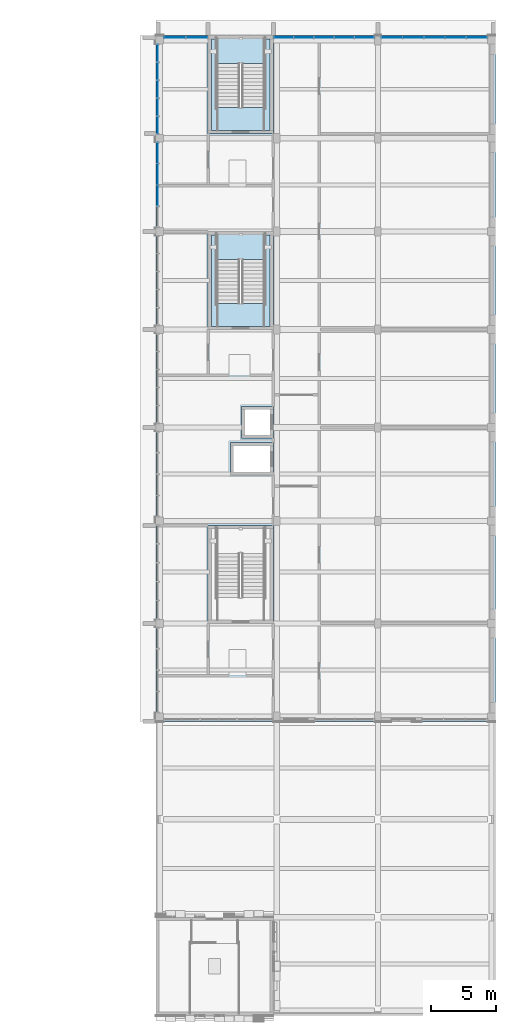
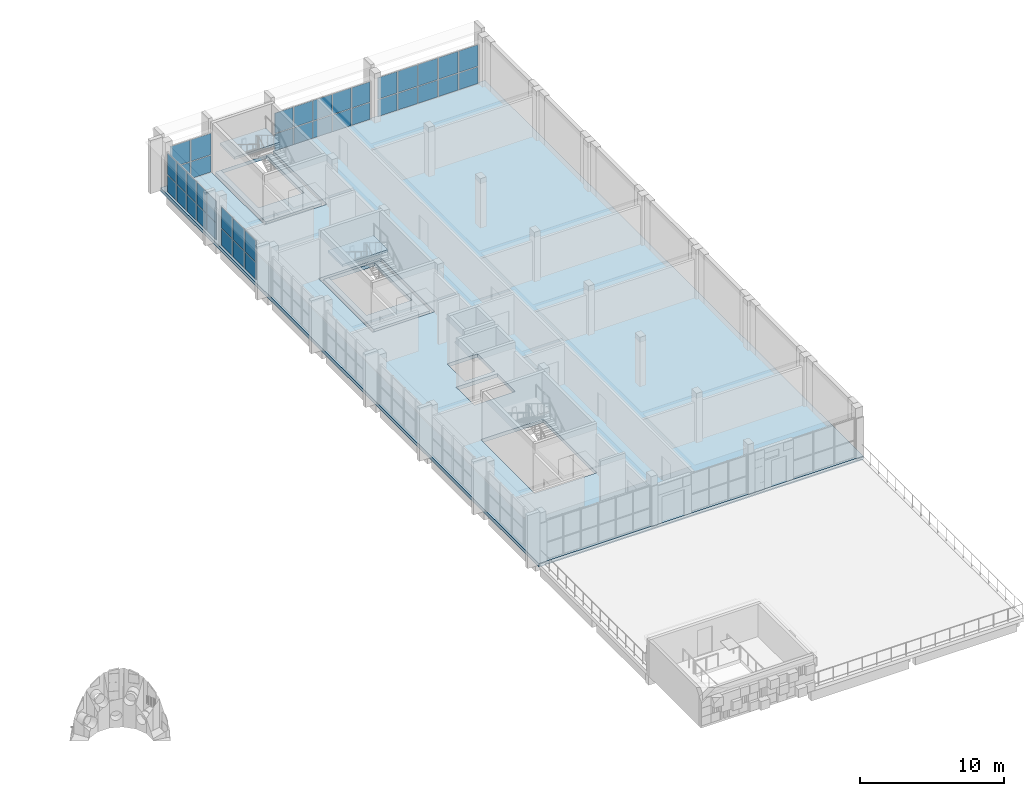
# One storey, part 25 of 42: 40 plates, 5 slabs, 7 elements without a shape of their own.
"""IFC4 building model written with IfcOpenShell, lengths in metres."""

import ifcopenshell
import ifcopenshell.guid

model = None  # the IFC model being written
_history = None  # IfcOwnerHistory: only IFC2X3 demands one
_inside = {}  # id of a spatial element -> (the spatial element, [elements in it])
_under = {}  # id of a project, library or spatial element -> (it, [spatial elements below it])
_declared = {}  # id of a project -> (the project, [libraries it declares])
_typed = {}  # id of a type object -> (the type object, [elements of that type])
_made_of = {}  # id of a material, layer set ... -> (it, [elements and type objects made of it])


def new_model(schema):
    """Start an empty IFC model of exactly this schema.

    Asked for "IFC4X3", IfcOpenShell would pick the latest addendum, in which some entities
    have other attributes; the version numbers below select the first issue.
    IFC2X3 requires an IfcOwnerHistory on every rooted entity: one is made here for all.
    """
    global model, _history
    if schema == "IFC4X3":
        model = ifcopenshell.file(schema_version=(4, 3, 0, 0))
    else:
        model = ifcopenshell.file(schema=schema)
    _inside.clear()
    _under.clear()
    _declared.clear()
    _typed.clear()
    _made_of.clear()
    _history = None
    if model.schema == "IFC2X3":
        org = make("IfcOrganization", Name="unknown")
        user = make(
            "IfcPersonAndOrganization",
            ThePerson=make("IfcPerson", FamilyName="unknown"),
            TheOrganization=org,
        )
        app = make(
            "IfcApplication",
            ApplicationDeveloper=org,
            Version="unknown",
            ApplicationFullName="unknown",
            ApplicationIdentifier="unknown",
        )
        _history = make(
            "IfcOwnerHistory",
            OwningUser=user,
            OwningApplication=app,
            ChangeAction="ADDED",
            CreationDate=0,
        )
    return model


def make(cls, **values):
    """One entity of the class cls with the attributes given. An attribute that is None is left unset."""
    return model.create_entity(
        cls, **{name: value for name, value in values.items() if value is not None}
    )


def rooted(cls, **values):
    """An entity with a GlobalId (a new one), such as an element, a storey or a relation."""
    return make(cls, GlobalId=ifcopenshell.guid.new(), OwnerHistory=_history, **values)


def si_unit(unit_type, name, prefix=None):
    """IfcSIUnit, for example si_unit("LENGTHUNIT", "METRE", prefix="MILLI")."""
    return make("IfcSIUnit", UnitType=unit_type, Prefix=prefix, Name=name)


def assignment(units):
    """IfcUnitAssignment: the units of a project."""
    return None if units is None else make("IfcUnitAssignment", Units=units)


def point(xyz):
    """IfcCartesianPoint."""
    return None if xyz is None else make("IfcCartesianPoint", Coordinates=xyz)


def direction(xyz):
    """IfcDirection."""
    return None if xyz is None else make("IfcDirection", DirectionRatios=xyz)


def frame(location, z_axis=None, x_axis=None):
    """IfcAxis2Placement3D, a coordinate frame: its origin and axes. An axis left out is left unset."""
    return make(
        "IfcAxis2Placement3D",
        Location=point(location),
        Axis=direction(z_axis),
        RefDirection=direction(x_axis),
    )


def frame_2d(location, x_axis=None):
    """IfcAxis2Placement2D, a coordinate frame in the plane: its origin and x axis."""
    return make(
        "IfcAxis2Placement2D", Location=point(location), RefDirection=direction(x_axis)
    )


def origin():
    """The frame at (0, 0, 0) with its axes left unset."""
    return frame((0.0, 0.0, 0.0))


def origin_2d():
    """The frame at (0, 0) in the plane with its x axis left unset."""
    return frame_2d((0.0, 0.0))


def place(relative_to, where):
    """IfcLocalPlacement: puts the frame where relative to a parent placement (None: the world)."""
    return make(
        "IfcLocalPlacement", PlacementRelTo=relative_to, RelativePlacement=where
    )


def context(
    kind, dimensions, precision=None, world=None, true_north=None, identifier=None
):
    """IfcGeometricRepresentationContext, for example the 3D "Model" context."""
    return make(
        "IfcGeometricRepresentationContext",
        ContextIdentifier=identifier,
        ContextType=kind,
        CoordinateSpaceDimension=dimensions,
        Precision=precision,
        WorldCoordinateSystem=world,
        TrueNorth=true_north,
    )


def subcontext(parent, identifier, kind, view, scale=None):
    """IfcGeometricRepresentationSubContext, for example "Body" below "Model"."""
    return make(
        "IfcGeometricRepresentationSubContext",
        ContextIdentifier=identifier,
        ContextType=kind,
        ParentContext=parent,
        TargetScale=scale,
        TargetView=view,
    )


def project(units=None, contexts=None):
    """IfcProject with its units and contexts."""
    return rooted(
        "IfcProject",
        Name="project",
        RepresentationContexts=contexts,
        UnitsInContext=assignment(units),
    )


def spatial(cls, under=None, at=None, **own):
    """A site, building, storey or space (cls), placed at a placement, below another one or the project."""
    s = rooted(cls, ObjectPlacement=at, **own)
    if under is not None:
        _under.setdefault(under.id(), (under, []))[1].append(s)
    return s


def polyline(points):
    """IfcPolyline through the points."""
    return make("IfcPolyline", Points=[point(p) for p in points])


def profile(cls, at=None, kind="AREA", **sizes):
    """A parametric profile (cls). Its sizes go by their IFC names, for example OverallWidth=200.0."""
    return make(cls, ProfileType=kind, Position=at, **sizes)


def rectangle(**sizes):
    """IfcRectangleProfileDef."""
    return profile("IfcRectangleProfileDef", **sizes)


def outline(outer, holes=None, kind="AREA"):
    """IfcArbitraryClosedProfileDef: a profile drawn as a closed curve; with holes, ...WithVoids."""
    if holes is None:
        return make("IfcArbitraryClosedProfileDef", ProfileType=kind, OuterCurve=outer)
    return make(
        "IfcArbitraryProfileDefWithVoids",
        ProfileType=kind,
        OuterCurve=outer,
        InnerCurves=holes,
    )


def extrude(swept, where, along, depth):
    """IfcExtrudedAreaSolid: the profile swept, set in the frame where, extruded along a direction by depth."""
    return make(
        "IfcExtrudedAreaSolid",
        SweptArea=swept,
        Position=where,
        ExtrudedDirection=direction(along),
        Depth=depth,
    )


def shape(context_of_items, identifier, shape_type, items):
    """IfcShapeRepresentation: the items that make up one representation, for example the "Body"."""
    return make(
        "IfcShapeRepresentation",
        ContextOfItems=context_of_items,
        RepresentationIdentifier=identifier,
        RepresentationType=shape_type,
        Items=items,
    )


def material(Name=None, Category=None):
    """IfcMaterial."""
    return make("IfcMaterial", Name=Name, Category=Category)


def layer(
    of_material, thickness, ventilated=None, Name=None, Category=None, Priority=None
):
    """IfcMaterialLayer: one layer of a wall or slab, of a material (None: an air gap)."""
    return make(
        "IfcMaterialLayer",
        Material=of_material,
        LayerThickness=thickness,
        IsVentilated=ventilated,
        Name=Name,
        Category=Category,
        Priority=Priority,
    )


def layer_set(layers, Name=None):
    """IfcMaterialLayerSet."""
    return make("IfcMaterialLayerSet", MaterialLayers=layers, LayerSetName=Name)


def made_of(thing, what):
    """Note that an element or type object is made of a material, layer set ...; save() writes the relation."""
    if what is not None:
        _made_of.setdefault(what.id(), (what, []))[1].append(thing)
    return thing


def type_object(cls, material=None, **own):
    """A type object (cls), such as IfcWallType, which elements share."""
    return made_of(rooted(cls, **own), material)


def element(
    cls,
    number,
    at=None,
    inside=None,
    cuts=None,
    type_object=None,
    material=None,
    context=None,
    identifier="Body",
    shape_type=None,
    held_by="IfcProductDefinitionShape",
    body=None,
    shapes=None,
    **own,
):
    """One element of the class cls, such as IfcWall. Its Tag is "e" and its number.

    at: its placement. inside: the storey or other place that contains it. cuts: it is an
    opening in that element (IfcRelVoidsElement). A single representation is given by context,
    identifier, shape_type and body (its items); several are given by shapes. held_by: the class
    of the entity that holds the representations. save() writes the other relations.
    """
    e = rooted(cls, Tag="e%d" % number, ObjectPlacement=at, **own)
    if body is not None:
        shapes = [shape(context, identifier, shape_type, body)]
    if shapes is not None:
        e.Representation = make(held_by, Representations=shapes)
    if inside is not None:
        _inside.setdefault(inside.id(), (inside, []))[1].append(e)
    if cuts is not None:
        rooted(
            "IfcRelVoidsElement", RelatingBuildingElement=cuts, RelatedOpeningElement=e
        )
    if type_object is not None:
        _typed.setdefault(type_object.id(), (type_object, []))[1].append(e)
    return made_of(e, material)


def aggregate(whole, parts):
    """IfcRelAggregates: a whole, such as a stair, and the parts it consists of."""
    return rooted("IfcRelAggregates", RelatingObject=whole, RelatedObjects=parts)


def save(model, path):
    """Write the relations noted so far, then the file.

    IfcRelAggregates (storeys below a building ...), IfcRelContainedInSpatialStructure (elements
    in a storey), IfcRelDefinesByType, IfcRelAssociatesMaterial and IfcRelDeclares: one each for
    every whole, place, type object, material and project.
    """
    for whole, parts in _under.values():
        aggregate(whole, parts)
    for where, things in _inside.values():
        rooted(
            "IfcRelContainedInSpatialStructure",
            RelatedElements=things,
            RelatingStructure=where,
        )
    for kind, things in _typed.values():
        rooted("IfcRelDefinesByType", RelatedObjects=things, RelatingType=kind)
    for what, things in _made_of.values():
        rooted("IfcRelAssociatesMaterial", RelatedObjects=things, RelatingMaterial=what)
    for by, libraries in _declared.values():
        rooted("IfcRelDeclares", RelatingContext=by, RelatedDefinitions=libraries)
    model.write(path)


model = new_model("IFC4")

# Units and contexts
model_context = context("Model", 3, precision=1e-05, world=origin(), true_north=direction((0.0, 1.0)))
body_context = subcontext(model_context, "Body", "Model", "MODEL_VIEW")
ifc_project = project(units=[si_unit("LENGTHUNIT", "METRE"), si_unit("AREAUNIT", "SQUARE_METRE"), si_unit("VOLUMEUNIT", "CUBIC_METRE"), si_unit("PLANEANGLEUNIT", "RADIAN"), si_unit("MASSUNIT", "GRAM", prefix="KILO")], contexts=[model_context])

# Site, building, storey
site_placement = place(None, origin())
site = spatial("IfcSite", under=ifc_project, at=site_placement, CompositionType="ELEMENT")
building_placement = place(site_placement, origin())
building = spatial("IfcBuilding", under=site, at=building_placement, Name="Sun Court Science Centre", CompositionType="ELEMENT")
storey_placement = place(building_placement, frame((0.0, 0.0, 20.25)))
storey = spatial("IfcBuildingStorey", under=building, at=storey_placement, Name="L04", CompositionType="ELEMENT", Elevation=20.25)

# Slabs
ifc_material_1 = material(Name="Concrete C25/30", Category="concrete")
ifc_layer_1 = layer(ifc_material_1, 0.300048828125)
ifc_layer_set_1 = layer_set([ifc_layer_1], Name="Concrete C25/30")
slab_type_1 = type_object("IfcSlabType", Name="RC floor slab 300", PredefinedType="FLOOR", material=ifc_layer_set_1)
slab_1_placement = place(storey_placement, frame((0.0, 0.0, -0.300048828125)))
element("IfcSlab", 1, at=slab_1_placement, inside=storey, type_object=slab_type_1, Name="Floor slab L04", PredefinedType="FLOOR", context=body_context, shape_type="SweptSolid", body=[
    extrude(outline(polyline([(104.0, 28.5), (104.0, 81.0), (87.0, 81.0), (87.0, 73.5), (82.0, 73.5), (82.0, 81.0), (78.0, 81.0), (78.0, 28.5), (104.0, 28.5)]), holes=[polyline([(84.577392578125, 50.1875), (84.577392578125, 52.612548828125), (87.00244140625, 52.612548828125), (87.00244140625, 50.1875), (84.577392578125, 50.1875)]), polyline([(82.0, 43.5), (87.0, 43.5), (87.0, 36.0), (82.0, 36.0), (82.0, 43.5)]), polyline([(82.0, 66.0), (87.0, 66.0), (87.0, 58.5), (82.0, 58.5), (82.0, 66.0)]), polyline([(83.699951171875, 49.85009765625), (87.0, 49.85009765625), (87.0, 47.35009765625), (83.699951171875, 47.35009765625), (83.699951171875, 49.85009765625)])]), origin(), (0.0, 0.0, 1.0), 0.300048828125),
])
slab_2_placement = place(storey_placement, frame((0.0, 0.0, -0.300048828125)))
element("IfcSlab", 2, at=slab_2_placement, inside=storey, type_object=slab_type_1, Name="Stair SL3 landing slab L04", PredefinedType="FLOOR", context=body_context, shape_type="SweptSolid", body=[
    extrude(outline(polyline([(82.25, 65.75), (82.25, 58.75), (86.75, 58.75), (86.75, 65.75), (82.25, 65.75)]), holes=[polyline([(86.322998046875, 65.7451171875), (86.322998046875, 60.5029296875), (82.677001953125, 60.5029296875), (82.677001953125, 65.7451171875), (86.322998046875, 65.7451171875)])]), origin(), (0.0, 0.0, 1.0), 0.300048828125),
])
slab_3_placement = place(storey_placement, frame((0.0, 0.0, -0.300048828125)))
element("IfcSlab", 3, at=slab_3_placement, inside=storey, type_object=slab_type_1, Name="Stair SL4 landing slab L04", PredefinedType="FLOOR", context=body_context, shape_type="SweptSolid", body=[
    extrude(outline(polyline([(82.25, 80.75), (82.25, 73.75), (86.75, 73.75), (86.75, 80.75), (82.25, 80.75)]), holes=[polyline([(86.322998046875, 80.7451171875), (86.322998046875, 75.5029296875), (82.677001953125, 75.5029296875), (82.677001953125, 80.7451171875), (86.322998046875, 80.7451171875)])]), origin(), (0.0, 0.0, 1.0), 0.300048828125),
])

# Curtain wall, plates
ifc_material_2 = material(Name="Aluminium EN AW-6063 T6", Category="aluminium")
curtain_wall_type = type_object("IfcCurtainWallType", Name="Laboratory tall bay curtain wall 1500", PredefinedType="NOTDEFINED", material=ifc_material_2)
curtain_wall_1_placement = place(storey_placement, origin())
curtain_wall_1 = element("IfcCurtainWall", 4, at=curtain_wall_1_placement, inside=storey, type_object=curtain_wall_type, Name="Curtain wall V4 W L04 06", PredefinedType="NOTDEFINED")
ifc_material_3 = material(Name="Solar-control glass", Category="glass")
ifc_layer_2 = layer(ifc_material_3, 0.028076171875)
ifc_layer_set_2 = layer_set([ifc_layer_2], Name="Solar-control glass")
plate_type = type_object("IfcPlateType", Name="Solar-control glazing panel 8-12-8", PredefinedType="CURTAIN_PANEL", material=ifc_layer_set_2)
plate_1_placement = place(storey_placement, frame((78.14990234375, 68.75634765625, 0.06005859375), z_axis=(0.0, 0.0, 1.0), x_axis=(0.0, 1.0, 0.0)))
plate_1 = element("IfcPlate", 5, at=plate_1_placement, type_object=plate_type, Name="CW2-42 panel 2.1", PredefinedType="CURTAIN_PANEL", context=body_context, shape_type="SweptSolid", body=[
    extrude(rectangle(XDim=1.577392578125, YDim=0.028076171875, at=origin_2d()), origin(), (0.0, 0.0, 1.0), 1.409912109375),
])
plate_2_placement = place(storey_placement, frame((78.14990234375, 70.393798828125, 0.06005859375), z_axis=(0.0, 0.0, 1.0), x_axis=(0.0, 1.0, 0.0)))
plate_2 = element("IfcPlate", 6, at=plate_2_placement, type_object=plate_type, Name="CW2-42 panel 3.1", PredefinedType="CURTAIN_PANEL", context=body_context, shape_type="SweptSolid", body=[
    extrude(rectangle(XDim=1.577392578125, YDim=0.028076171875, at=origin_2d()), origin(), (0.0, 0.0, 1.0), 1.409912109375),
])
plate_3_placement = place(storey_placement, frame((78.14990234375, 72.016357421875, 0.06005859375), z_axis=(0.0, 0.0, 1.0), x_axis=(0.0, 1.0, 0.0)))
plate_3 = element("IfcPlate", 7, at=plate_3_placement, type_object=plate_type, Name="CW2-42 panel 4.1", PredefinedType="CURTAIN_PANEL", context=body_context, shape_type="SweptSolid", body=[
    extrude(rectangle(XDim=1.547607421875, YDim=0.028076171875, at=origin_2d()), origin(), (0.0, 0.0, 1.0), 1.409912109375),
])
plate_4_placement = place(storey_placement, frame((78.14990234375, 68.75634765625, 1.530029296875), z_axis=(0.0, 0.0, 1.0), x_axis=(0.0, 1.0, 0.0)))
plate_4 = element("IfcPlate", 8, at=plate_4_placement, type_object=plate_type, Name="CW2-42 panel 2.2", PredefinedType="CURTAIN_PANEL", context=body_context, shape_type="SweptSolid", body=[
    extrude(rectangle(XDim=1.577392578125, YDim=0.028076171875, at=origin_2d()), origin(), (0.0, 0.0, 1.0), 1.81005859375),
])
plate_5_placement = place(storey_placement, frame((78.14990234375, 70.393798828125, 1.530029296875), z_axis=(0.0, 0.0, 1.0), x_axis=(0.0, 1.0, 0.0)))
plate_5 = element("IfcPlate", 9, at=plate_5_placement, type_object=plate_type, Name="CW2-42 panel 3.2", PredefinedType="CURTAIN_PANEL", context=body_context, shape_type="SweptSolid", body=[
    extrude(rectangle(XDim=1.577392578125, YDim=0.028076171875, at=origin_2d()), origin(), (0.0, 0.0, 1.0), 1.81005859375),
])
plate_6_placement = place(storey_placement, frame((78.14990234375, 72.016357421875, 1.530029296875), z_axis=(0.0, 0.0, 1.0), x_axis=(0.0, 1.0, 0.0)))
plate_6 = element("IfcPlate", 10, at=plate_6_placement, type_object=plate_type, Name="CW2-42 panel 4.2", PredefinedType="CURTAIN_PANEL", context=body_context, shape_type="SweptSolid", body=[
    extrude(rectangle(XDim=1.547607421875, YDim=0.028076171875, at=origin_2d()), origin(), (0.0, 0.0, 1.0), 1.81005859375),
])
aggregate(curtain_wall_1, [plate_1, plate_2, plate_3, plate_4, plate_5, plate_6])

curtain_wall_2_placement = place(storey_placement, origin())
curtain_wall_2 = element("IfcCurtainWall", 11, at=curtain_wall_2_placement, inside=storey, type_object=curtain_wall_type, Name="Curtain wall V4 W L04 07", PredefinedType="NOTDEFINED")
plate_7_placement = place(storey_placement, frame((78.14990234375, 74.155029296875, 0.06005859375), z_axis=(0.0, 0.0, 1.0), x_axis=(0.0, 1.0, 0.0)))
plate_7 = element("IfcPlate", 12, at=plate_7_placement, type_object=plate_type, Name="CW2-43 panel 1.1", PredefinedType="CURTAIN_PANEL", context=body_context, shape_type="SweptSolid", body=[
    extrude(rectangle(XDim=1.2900390625, YDim=0.028076171875, at=origin_2d()), origin(), (0.0, 0.0, 1.0), 1.409912109375),
])
plate_8_placement = place(storey_placement, frame((78.14990234375, 75.52001953125, 0.06005859375), z_axis=(0.0, 0.0, 1.0), x_axis=(0.0, 1.0, 0.0)))
plate_8 = element("IfcPlate", 13, at=plate_8_placement, type_object=plate_type, Name="CW2-43 panel 2.1", PredefinedType="CURTAIN_PANEL", context=body_context, shape_type="SweptSolid", body=[
    extrude(rectangle(XDim=1.320068359375, YDim=0.028076171875, at=origin_2d()), origin(), (0.0, 0.0, 1.0), 1.409912109375),
])
plate_9_placement = place(storey_placement, frame((78.14990234375, 76.89990234375, 0.06005859375), z_axis=(0.0, 0.0, 1.0), x_axis=(0.0, 1.0, 0.0)))
plate_9 = element("IfcPlate", 14, at=plate_9_placement, type_object=plate_type, Name="CW2-43 panel 3.1", PredefinedType="CURTAIN_PANEL", context=body_context, shape_type="SweptSolid", body=[
    extrude(rectangle(XDim=1.320068359375, YDim=0.028076171875, at=origin_2d()), origin(), (0.0, 0.0, 1.0), 1.409912109375),
])
plate_10_placement = place(storey_placement, frame((78.14990234375, 78.280029296875, 0.06005859375), z_axis=(0.0, 0.0, 1.0), x_axis=(0.0, 1.0, 0.0)))
plate_10 = element("IfcPlate", 15, at=plate_10_placement, type_object=plate_type, Name="CW2-43 panel 4.1", PredefinedType="CURTAIN_PANEL", context=body_context, shape_type="SweptSolid", body=[
    extrude(rectangle(XDim=1.320068359375, YDim=0.028076171875, at=origin_2d()), origin(), (0.0, 0.0, 1.0), 1.409912109375),
])
plate_11_placement = place(storey_placement, frame((78.14990234375, 79.64501953125, 0.06005859375), z_axis=(0.0, 0.0, 1.0), x_axis=(0.0, 1.0, 0.0)))
plate_11 = element("IfcPlate", 16, at=plate_11_placement, type_object=plate_type, Name="CW2-43 panel 5.1", PredefinedType="CURTAIN_PANEL", context=body_context, shape_type="SweptSolid", body=[
    extrude(rectangle(XDim=1.2900390625, YDim=0.028076171875, at=origin_2d()), origin(), (0.0, 0.0, 1.0), 1.409912109375),
])
plate_12_placement = place(storey_placement, frame((78.14990234375, 74.155029296875, 1.530029296875), z_axis=(0.0, 0.0, 1.0), x_axis=(0.0, 1.0, 0.0)))
plate_12 = element("IfcPlate", 17, at=plate_12_placement, type_object=plate_type, Name="CW2-43 panel 1.2", PredefinedType="CURTAIN_PANEL", context=body_context, shape_type="SweptSolid", body=[
    extrude(rectangle(XDim=1.2900390625, YDim=0.028076171875, at=origin_2d()), origin(), (0.0, 0.0, 1.0), 1.81005859375),
])
plate_13_placement = place(storey_placement, frame((78.14990234375, 75.52001953125, 1.530029296875), z_axis=(0.0, 0.0, 1.0), x_axis=(0.0, 1.0, 0.0)))
plate_13 = element("IfcPlate", 18, at=plate_13_placement, type_object=plate_type, Name="CW2-43 panel 2.2", PredefinedType="CURTAIN_PANEL", context=body_context, shape_type="SweptSolid", body=[
    extrude(rectangle(XDim=1.320068359375, YDim=0.028076171875, at=origin_2d()), origin(), (0.0, 0.0, 1.0), 1.81005859375),
])
plate_14_placement = place(storey_placement, frame((78.14990234375, 76.89990234375, 1.530029296875), z_axis=(0.0, 0.0, 1.0), x_axis=(0.0, 1.0, 0.0)))
plate_14 = element("IfcPlate", 19, at=plate_14_placement, type_object=plate_type, Name="CW2-43 panel 3.2", PredefinedType="CURTAIN_PANEL", context=body_context, shape_type="SweptSolid", body=[
    extrude(rectangle(XDim=1.320068359375, YDim=0.028076171875, at=origin_2d()), origin(), (0.0, 0.0, 1.0), 1.81005859375),
])
plate_15_placement = place(storey_placement, frame((78.14990234375, 78.280029296875, 1.530029296875), z_axis=(0.0, 0.0, 1.0), x_axis=(0.0, 1.0, 0.0)))
plate_15 = element("IfcPlate", 20, at=plate_15_placement, type_object=plate_type, Name="CW2-43 panel 4.2", PredefinedType="CURTAIN_PANEL", context=body_context, shape_type="SweptSolid", body=[
    extrude(rectangle(XDim=1.320068359375, YDim=0.028076171875, at=origin_2d()), origin(), (0.0, 0.0, 1.0), 1.81005859375),
])
plate_16_placement = place(storey_placement, frame((78.14990234375, 79.64501953125, 1.530029296875), z_axis=(0.0, 0.0, 1.0), x_axis=(0.0, 1.0, 0.0)))
plate_16 = element("IfcPlate", 21, at=plate_16_placement, type_object=plate_type, Name="CW2-43 panel 5.2", PredefinedType="CURTAIN_PANEL", context=body_context, shape_type="SweptSolid", body=[
    extrude(rectangle(XDim=1.2900390625, YDim=0.028076171875, at=origin_2d()), origin(), (0.0, 0.0, 1.0), 1.81005859375),
])
aggregate(curtain_wall_2, [plate_7, plate_8, plate_9, plate_10, plate_11, plate_12, plate_13, plate_14, plate_15, plate_16])

curtain_wall_3_placement = place(storey_placement, origin())
curtain_wall_3 = element("IfcCurtainWall", 22, at=curtain_wall_3_placement, inside=storey, type_object=curtain_wall_type, Name="Curtain wall V4 N L04 01", PredefinedType="NOTDEFINED")
plate_17_placement = place(storey_placement, frame((79.465087890625, 80.85009765625, 0.06005859375), z_axis=(0.0, 0.0, 1.0), x_axis=(1.0, 0.0, 0.0)))
plate_17 = element("IfcPlate", 23, at=plate_17_placement, type_object=plate_type, Name="CW2-73 panel 1.1", PredefinedType="CURTAIN_PANEL", context=body_context, shape_type="SweptSolid", body=[
    extrude(rectangle(XDim=1.610107421875, YDim=0.028076171875, at=origin_2d()), origin(), (0.0, 0.0, 1.0), 1.409912109375),
])
plate_18_placement = place(storey_placement, frame((81.135009765625, 80.85009765625, 0.06005859375), z_axis=(0.0, 0.0, 1.0), x_axis=(1.0, 0.0, 0.0)))
plate_18 = element("IfcPlate", 24, at=plate_18_placement, type_object=plate_type, Name="CW2-73 panel 2.1", PredefinedType="CURTAIN_PANEL", context=body_context, shape_type="SweptSolid", body=[
    extrude(rectangle(XDim=1.610107421875, YDim=0.028076171875, at=origin_2d()), origin(), (0.0, 0.0, 1.0), 1.409912109375),
])
plate_19_placement = place(storey_placement, frame((79.465087890625, 80.85009765625, 1.530029296875), z_axis=(0.0, 0.0, 1.0), x_axis=(1.0, 0.0, 0.0)))
plate_19 = element("IfcPlate", 25, at=plate_19_placement, type_object=plate_type, Name="CW2-73 panel 1.2", PredefinedType="CURTAIN_PANEL", context=body_context, shape_type="SweptSolid", body=[
    extrude(rectangle(XDim=1.610107421875, YDim=0.028076171875, at=origin_2d()), origin(), (0.0, 0.0, 1.0), 1.81005859375),
])
plate_20_placement = place(storey_placement, frame((81.135009765625, 80.85009765625, 1.530029296875), z_axis=(0.0, 0.0, 1.0), x_axis=(1.0, 0.0, 0.0)))
plate_20 = element("IfcPlate", 26, at=plate_20_placement, type_object=plate_type, Name="CW2-73 panel 2.2", PredefinedType="CURTAIN_PANEL", context=body_context, shape_type="SweptSolid", body=[
    extrude(rectangle(XDim=1.610107421875, YDim=0.028076171875, at=origin_2d()), origin(), (0.0, 0.0, 1.0), 1.81005859375),
])
aggregate(curtain_wall_3, [plate_17, plate_18, plate_19, plate_20])

curtain_wall_4_placement = place(storey_placement, origin())
curtain_wall_4 = element("IfcCurtainWall", 27, at=curtain_wall_4_placement, inside=storey, type_object=curtain_wall_type, Name="Curtain wall V4 N L04 02", PredefinedType="NOTDEFINED")
plate_21_placement = place(storey_placement, frame((87.7900390625, 80.85009765625, 0.06005859375), z_axis=(0.0, 0.0, 1.0), x_axis=(1.0, 0.0, 0.0)))
plate_21 = element("IfcPlate", 28, at=plate_21_placement, type_object=plate_type, Name="CW2-74 panel 1.1", PredefinedType="CURTAIN_PANEL", context=body_context, shape_type="SweptSolid", body=[
    extrude(rectangle(XDim=1.4599609375, YDim=0.028076171875, at=origin_2d()), origin(), (0.0, 0.0, 1.0), 1.409912109375),
])
plate_22_placement = place(storey_placement, frame((89.324951171875, 80.85009765625, 0.06005859375), z_axis=(0.0, 0.0, 1.0), x_axis=(1.0, 0.0, 0.0)))
plate_22 = element("IfcPlate", 29, at=plate_22_placement, type_object=plate_type, Name="CW2-74 panel 2.1", PredefinedType="CURTAIN_PANEL", context=body_context, shape_type="SweptSolid", body=[
    extrude(rectangle(XDim=1.489990234375, YDim=0.028076171875, at=origin_2d()), origin(), (0.0, 0.0, 1.0), 1.409912109375),
])
plate_23_placement = place(storey_placement, frame((90.875, 80.85009765625, 0.06005859375), z_axis=(0.0, 0.0, 1.0), x_axis=(1.0, 0.0, 0.0)))
plate_23 = element("IfcPlate", 30, at=plate_23_placement, type_object=plate_type, Name="CW2-74 panel 3.1", PredefinedType="CURTAIN_PANEL", context=body_context, shape_type="SweptSolid", body=[
    extrude(rectangle(XDim=1.489990234375, YDim=0.028076171875, at=origin_2d()), origin(), (0.0, 0.0, 1.0), 1.409912109375),
])
plate_24_placement = place(storey_placement, frame((92.425048828125, 80.85009765625, 0.06005859375), z_axis=(0.0, 0.0, 1.0), x_axis=(1.0, 0.0, 0.0)))
plate_24 = element("IfcPlate", 31, at=plate_24_placement, type_object=plate_type, Name="CW2-74 panel 4.1", PredefinedType="CURTAIN_PANEL", context=body_context, shape_type="SweptSolid", body=[
    extrude(rectangle(XDim=1.489990234375, YDim=0.028076171875, at=origin_2d()), origin(), (0.0, 0.0, 1.0), 1.409912109375),
])
plate_25_placement = place(storey_placement, frame((93.9599609375, 80.85009765625, 0.06005859375), z_axis=(0.0, 0.0, 1.0), x_axis=(1.0, 0.0, 0.0)))
plate_25 = element("IfcPlate", 32, at=plate_25_placement, type_object=plate_type, Name="CW2-74 panel 5.1", PredefinedType="CURTAIN_PANEL", context=body_context, shape_type="SweptSolid", body=[
    extrude(rectangle(XDim=1.4599609375, YDim=0.028076171875, at=origin_2d()), origin(), (0.0, 0.0, 1.0), 1.409912109375),
])
plate_26_placement = place(storey_placement, frame((87.7900390625, 80.85009765625, 1.530029296875), z_axis=(0.0, 0.0, 1.0), x_axis=(1.0, 0.0, 0.0)))
plate_26 = element("IfcPlate", 33, at=plate_26_placement, type_object=plate_type, Name="CW2-74 panel 1.2", PredefinedType="CURTAIN_PANEL", context=body_context, shape_type="SweptSolid", body=[
    extrude(rectangle(XDim=1.4599609375, YDim=0.028076171875, at=origin_2d()), origin(), (0.0, 0.0, 1.0), 1.7099609375),
])
plate_27_placement = place(storey_placement, frame((89.324951171875, 80.85009765625, 1.530029296875), z_axis=(0.0, 0.0, 1.0), x_axis=(1.0, 0.0, 0.0)))
plate_27 = element("IfcPlate", 34, at=plate_27_placement, type_object=plate_type, Name="CW2-74 panel 2.2", PredefinedType="CURTAIN_PANEL", context=body_context, shape_type="SweptSolid", body=[
    extrude(rectangle(XDim=1.489990234375, YDim=0.028076171875, at=origin_2d()), origin(), (0.0, 0.0, 1.0), 1.7099609375),
])
plate_28_placement = place(storey_placement, frame((90.875, 80.85009765625, 1.530029296875), z_axis=(0.0, 0.0, 1.0), x_axis=(1.0, 0.0, 0.0)))
plate_28 = element("IfcPlate", 35, at=plate_28_placement, type_object=plate_type, Name="CW2-74 panel 3.2", PredefinedType="CURTAIN_PANEL", context=body_context, shape_type="SweptSolid", body=[
    extrude(rectangle(XDim=1.489990234375, YDim=0.028076171875, at=origin_2d()), origin(), (0.0, 0.0, 1.0), 1.7099609375),
])
plate_29_placement = place(storey_placement, frame((92.425048828125, 80.85009765625, 1.530029296875), z_axis=(0.0, 0.0, 1.0), x_axis=(1.0, 0.0, 0.0)))
plate_29 = element("IfcPlate", 36, at=plate_29_placement, type_object=plate_type, Name="CW2-74 panel 4.2", PredefinedType="CURTAIN_PANEL", context=body_context, shape_type="SweptSolid", body=[
    extrude(rectangle(XDim=1.489990234375, YDim=0.028076171875, at=origin_2d()), origin(), (0.0, 0.0, 1.0), 1.7099609375),
])
plate_30_placement = place(storey_placement, frame((93.9599609375, 80.85009765625, 1.530029296875), z_axis=(0.0, 0.0, 1.0), x_axis=(1.0, 0.0, 0.0)))
plate_30 = element("IfcPlate", 37, at=plate_30_placement, type_object=plate_type, Name="CW2-74 panel 5.2", PredefinedType="CURTAIN_PANEL", context=body_context, shape_type="SweptSolid", body=[
    extrude(rectangle(XDim=1.4599609375, YDim=0.028076171875, at=origin_2d()), origin(), (0.0, 0.0, 1.0), 1.7099609375),
])
aggregate(curtain_wall_4, [plate_21, plate_22, plate_23, plate_24, plate_25, plate_26, plate_27, plate_28, plate_29, plate_30])

curtain_wall_5_placement = place(storey_placement, origin())
curtain_wall_5 = element("IfcCurtainWall", 38, at=curtain_wall_5_placement, inside=storey, type_object=curtain_wall_type, Name="Curtain wall V4 N L04 03", PredefinedType="NOTDEFINED")
plate_31_placement = place(storey_placement, frame((96.080078125, 80.85009765625, 0.06005859375), z_axis=(0.0, 0.0, 1.0), x_axis=(1.0, 0.0, 0.0)))
plate_31 = element("IfcPlate", 39, at=plate_31_placement, type_object=plate_type, Name="CW2-75 panel 1.1", PredefinedType="CURTAIN_PANEL", context=body_context, shape_type="SweptSolid", body=[
    extrude(rectangle(XDim=1.5400390625, YDim=0.028076171875, at=origin_2d()), origin(), (0.0, 0.0, 1.0), 1.409912109375),
])
plate_32_placement = place(storey_placement, frame((97.695068359375, 80.85009765625, 0.06005859375), z_axis=(0.0, 0.0, 1.0), x_axis=(1.0, 0.0, 0.0)))
plate_32 = element("IfcPlate", 40, at=plate_32_placement, type_object=plate_type, Name="CW2-75 panel 2.1", PredefinedType="CURTAIN_PANEL", context=body_context, shape_type="SweptSolid", body=[
    extrude(rectangle(XDim=1.570068359375, YDim=0.028076171875, at=origin_2d()), origin(), (0.0, 0.0, 1.0), 1.409912109375),
])
plate_33_placement = place(storey_placement, frame((99.324951171875, 80.85009765625, 0.06005859375), z_axis=(0.0, 0.0, 1.0), x_axis=(1.0, 0.0, 0.0)))
plate_33 = element("IfcPlate", 41, at=plate_33_placement, type_object=plate_type, Name="CW2-75 panel 3.1", PredefinedType="CURTAIN_PANEL", context=body_context, shape_type="SweptSolid", body=[
    extrude(rectangle(XDim=1.570068359375, YDim=0.028076171875, at=origin_2d()), origin(), (0.0, 0.0, 1.0), 1.409912109375),
])
plate_34_placement = place(storey_placement, frame((100.955078125, 80.85009765625, 0.06005859375), z_axis=(0.0, 0.0, 1.0), x_axis=(1.0, 0.0, 0.0)))
plate_34 = element("IfcPlate", 42, at=plate_34_placement, type_object=plate_type, Name="CW2-75 panel 4.1", PredefinedType="CURTAIN_PANEL", context=body_context, shape_type="SweptSolid", body=[
    extrude(rectangle(XDim=1.570068359375, YDim=0.028076171875, at=origin_2d()), origin(), (0.0, 0.0, 1.0), 1.409912109375),
])
plate_35_placement = place(storey_placement, frame((102.570068359375, 80.85009765625, 0.06005859375), z_axis=(0.0, 0.0, 1.0), x_axis=(1.0, 0.0, 0.0)))
plate_35 = element("IfcPlate", 43, at=plate_35_placement, type_object=plate_type, Name="CW2-75 panel 5.1", PredefinedType="CURTAIN_PANEL", context=body_context, shape_type="SweptSolid", body=[
    extrude(rectangle(XDim=1.5400390625, YDim=0.028076171875, at=origin_2d()), origin(), (0.0, 0.0, 1.0), 1.409912109375),
])
plate_36_placement = place(storey_placement, frame((96.080078125, 80.85009765625, 1.530029296875), z_axis=(0.0, 0.0, 1.0), x_axis=(1.0, 0.0, 0.0)))
plate_36 = element("IfcPlate", 44, at=plate_36_placement, type_object=plate_type, Name="CW2-75 panel 1.2", PredefinedType="CURTAIN_PANEL", context=body_context, shape_type="SweptSolid", body=[
    extrude(rectangle(XDim=1.5400390625, YDim=0.028076171875, at=origin_2d()), origin(), (0.0, 0.0, 1.0), 1.81005859375),
])
plate_37_placement = place(storey_placement, frame((97.695068359375, 80.85009765625, 1.530029296875), z_axis=(0.0, 0.0, 1.0), x_axis=(1.0, 0.0, 0.0)))
plate_37 = element("IfcPlate", 45, at=plate_37_placement, type_object=plate_type, Name="CW2-75 panel 2.2", PredefinedType="CURTAIN_PANEL", context=body_context, shape_type="SweptSolid", body=[
    extrude(rectangle(XDim=1.570068359375, YDim=0.028076171875, at=origin_2d()), origin(), (0.0, 0.0, 1.0), 1.81005859375),
])
plate_38_placement = place(storey_placement, frame((99.324951171875, 80.85009765625, 1.530029296875), z_axis=(0.0, 0.0, 1.0), x_axis=(1.0, 0.0, 0.0)))
plate_38 = element("IfcPlate", 46, at=plate_38_placement, type_object=plate_type, Name="CW2-75 panel 3.2", PredefinedType="CURTAIN_PANEL", context=body_context, shape_type="SweptSolid", body=[
    extrude(rectangle(XDim=1.570068359375, YDim=0.028076171875, at=origin_2d()), origin(), (0.0, 0.0, 1.0), 1.81005859375),
])
plate_39_placement = place(storey_placement, frame((100.955078125, 80.85009765625, 1.530029296875), z_axis=(0.0, 0.0, 1.0), x_axis=(1.0, 0.0, 0.0)))
plate_39 = element("IfcPlate", 47, at=plate_39_placement, type_object=plate_type, Name="CW2-75 panel 4.2", PredefinedType="CURTAIN_PANEL", context=body_context, shape_type="SweptSolid", body=[
    extrude(rectangle(XDim=1.570068359375, YDim=0.028076171875, at=origin_2d()), origin(), (0.0, 0.0, 1.0), 1.81005859375),
])
plate_40_placement = place(storey_placement, frame((102.570068359375, 80.85009765625, 1.530029296875), z_axis=(0.0, 0.0, 1.0), x_axis=(1.0, 0.0, 0.0)))
plate_40 = element("IfcPlate", 48, at=plate_40_placement, type_object=plate_type, Name="CW2-75 panel 5.2", PredefinedType="CURTAIN_PANEL", context=body_context, shape_type="SweptSolid", body=[
    extrude(rectangle(XDim=1.5400390625, YDim=0.028076171875, at=origin_2d()), origin(), (0.0, 0.0, 1.0), 1.81005859375),
])
aggregate(curtain_wall_5, [plate_31, plate_32, plate_33, plate_34, plate_35, plate_36, plate_37, plate_38, plate_39, plate_40])

# Stair, slab
ifc_material_4 = material(Name="Concrete C25/30", Category="concrete")
stair_type = type_object("IfcStairType", Name="Stair 1500 enclosed half-turn", PredefinedType="HALF_TURN_STAIR", material=ifc_material_4)
stair_1_placement = place(storey_placement, origin())
stair_1 = element("IfcStair", 49, at=stair_1_placement, inside=storey, type_object=stair_type, Name="L04 Stair SL3", PredefinedType="HALF_TURN_STAIR")
ifc_material_5 = material(Name="Concrete C25/30", Category="concrete")
ifc_layer_3 = layer(ifc_material_5, 0.199951171875)
ifc_layer_set_3 = layer_set([ifc_layer_3], Name="Concrete C25/30")
slab_type_2 = type_object("IfcSlabType", Name="Stair landing 200", PredefinedType="LANDING", material=ifc_layer_set_3)
slab_4_placement = place(storey_placement, frame((0.0, 0.0, 2.050048828125)))
slab_4 = element("IfcSlab", 50, at=slab_4_placement, type_object=slab_type_2, Name="SL3 landing 1", PredefinedType="LANDING", context=body_context, shape_type="SweptSolid", body=[
    extrude(outline(polyline([(86.322998046875, 63.85400390625), (86.322998046875, 65.85009765625), (82.677001953125, 65.85009765625), (82.677001953125, 63.85400390625), (86.322998046875, 63.85400390625)])), origin(), (0.0, 0.0, 1.0), 0.199951171875),
])
aggregate(stair_1, [slab_4])

stair_2_placement = place(storey_placement, origin())
stair_2 = element("IfcStair", 51, at=stair_2_placement, inside=storey, type_object=stair_type, Name="L04 Stair SL4", PredefinedType="HALF_TURN_STAIR")
slab_5_placement = place(storey_placement, frame((0.0, 0.0, 2.050048828125)))
slab_5 = element("IfcSlab", 52, at=slab_5_placement, type_object=slab_type_2, Name="SL4 landing 1", PredefinedType="LANDING", context=body_context, shape_type="SweptSolid", body=[
    extrude(outline(polyline([(86.322998046875, 78.85400390625), (86.322998046875, 80.85009765625), (82.677001953125, 80.85009765625), (82.677001953125, 78.85400390625), (86.322998046875, 78.85400390625)])), origin(), (0.0, 0.0, 1.0), 0.199951171875),
])
aggregate(stair_2, [slab_5])

save(model, "model.ifc")
